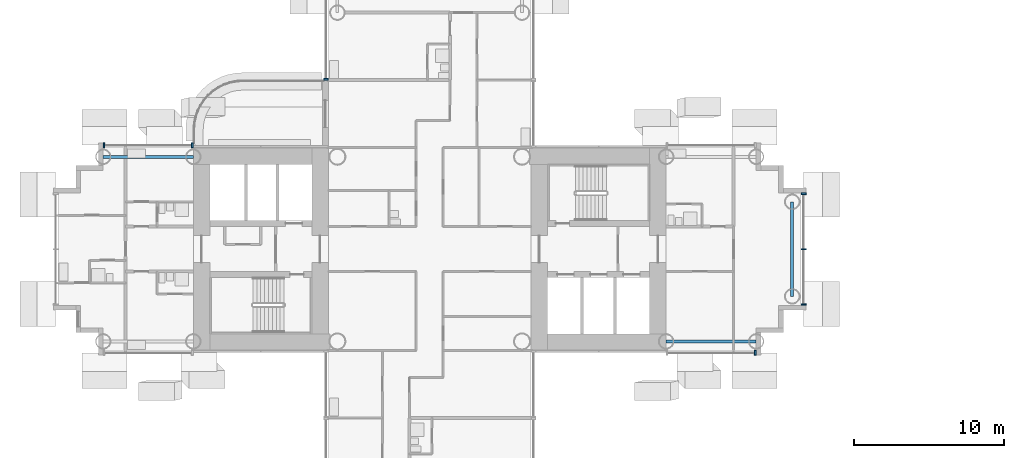
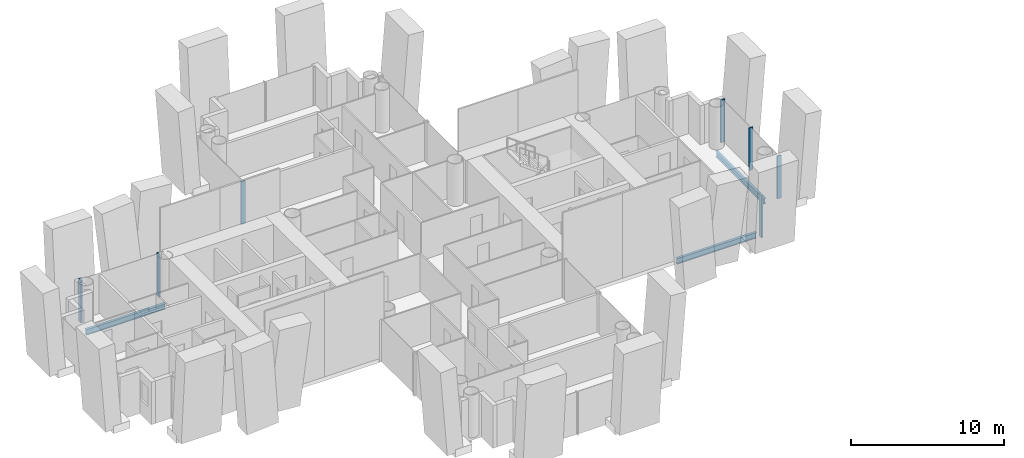
# One storey, part 4 of 25: 7 members, 3 beams, 4 elements without a shape of their own.
"""IFC4 building model written with IfcOpenShell, lengths in metres."""

from ifc_helpers import new_model, si_unit, direction, frame, origin, origin_2d, place, context, subcontext, project, spatial, rectangle, i_section, extrude, material, layer, layer_set, material_profile, profile_set, type_object, element, aggregate, save


model = new_model("IFC4")

# Units and contexts
model_context = context("Model", 3, precision=1e-05, world=origin(), true_north=direction((0.0, 1.0)))
body_context = subcontext(model_context, "Body", "Model", "MODEL_VIEW")
ifc_project = project(units=[si_unit("LENGTHUNIT", "METRE"), si_unit("AREAUNIT", "SQUARE_METRE"), si_unit("VOLUMEUNIT", "CUBIC_METRE"), si_unit("PLANEANGLEUNIT", "RADIAN"), si_unit("MASSUNIT", "GRAM", prefix="KILO")], contexts=[model_context])

# Site, building, storey
site_placement = place(None, origin())
site = spatial("IfcSite", under=ifc_project, at=site_placement, CompositionType="ELEMENT")
building_placement = place(site_placement, origin())
building = spatial("IfcBuilding", under=site, at=building_placement, Name="Ipe Terrace Towers", CompositionType="ELEMENT")
storey_placement = place(building_placement, frame((0.0, 0.0, 58.5)))
storey = spatial("IfcBuildingStorey", under=building, at=storey_placement, Name="L15", CompositionType="ELEMENT", Elevation=58.5)

# Beams
ifc_material_1 = material(Name="Steel S355", Category="steel")
ifc_material_profile_1 = material_profile(ifc_material_1, i_section(OverallWidth=0.199951171875, OverallDepth=0.449951171875, WebThickness=0.009033203125, FlangeThickness=0.013916015625, at=origin_2d()), Name="H-450x200x9x14")
ifc_profile_set_1 = profile_set([ifc_material_profile_1], Name="Steel S355")
beam_type = type_object("IfcBeamType", Name="H08 EDGE BEAM H-450x200x9x14", PredefinedType="BEAM", material=ifc_profile_set_1)
beam_1_placement = place(storey_placement, frame((-20.25, -6.14990234375, -0.625), z_axis=(1.0, 0.0, 0.0), x_axis=(0.0, 1.0, 0.0)))
element("IfcBeam", 1, at=beam_1_placement, inside=storey, type_object=beam_type, Name="Edge beam T1-EB-A01-A03", PredefinedType="BEAM", context=body_context, shape_type="SweptSolid", body=[
    extrude(i_section(OverallWidth=0.199951171875, OverallDepth=0.449951171875, WebThickness=0.009033203125, FlangeThickness=0.013916015625, at=origin_2d()), origin(), (0.0, 0.0, 1.0), 6.0),
])
beam_2_placement = place(storey_placement, frame((-11.85009765625, -3.14990234375, -0.625), z_axis=(0.0, 1.0, 0.0), x_axis=(-1.0, 0.0, 0.0)))
element("IfcBeam", 2, at=beam_2_placement, inside=storey, type_object=beam_type, Name="Edge beam T1-EB-A05-A06", PredefinedType="BEAM", context=body_context, shape_type="SweptSolid", body=[
    extrude(i_section(OverallWidth=0.199951171875, OverallDepth=0.449951171875, WebThickness=0.009033203125, FlangeThickness=0.013916015625, at=origin_2d()), origin(), (0.0, 0.0, 1.0), 6.2998046875),
])
beam_3_placement = place(storey_placement, frame((-51.75, 6.14990234375, -0.625), z_axis=(-1.0, 0.0, 0.0), x_axis=(0.0, -1.0, 0.0)))
element("IfcBeam", 3, at=beam_3_placement, inside=storey, type_object=beam_type, Name="Edge beam T1-EB-C02-C04", PredefinedType="BEAM", context=body_context, shape_type="SweptSolid", body=[
    extrude(i_section(OverallWidth=0.199951171875, OverallDepth=0.449951171875, WebThickness=0.009033203125, FlangeThickness=0.013916015625, at=origin_2d()), origin(), (0.0, 0.0, 1.0), 6.0),
])

# Curtain wall, member
ifc_material_2 = material(Name="Aluminium alloy 6063-T6", Category="aluminium")
ifc_layer = layer(ifc_material_2, 0.320068359375)
ifc_layer_set = layer_set([ifc_layer], Name="TOWER UNITISED CURTAIN WALL")
curtain_wall_type = type_object("IfcCurtainWallType", Name="TOWER UNITISED CURTAIN WALL", PredefinedType="NOTDEFINED", material=ifc_layer_set)
curtain_wall_1_placement = place(storey_placement, origin())
curtain_wall_1 = element("IfcCurtainWall", 4, at=curtain_wall_1_placement, inside=storey, type_object=curtain_wall_type, Name="T1-CW-L15-20b curtain wall", PredefinedType="NOTDEFINED")
ifc_material_3 = material(Name="Aluminium alloy 6063-T6", Category="aluminium")
ifc_material_profile_2 = material_profile(ifc_material_3, rectangle(XDim=0.320068359375, YDim=0.1201171875, at=origin_2d()), Name="TOWER UNITISED CORNER MULLION 320 x 120")
ifc_profile_set_2 = profile_set([ifc_material_profile_2], Name="Aluminium alloy 6063-T6")
member_type_1 = type_object("IfcMemberType", Name="TOWER UNITISED CORNER MULLION 320 x 120", PredefinedType="MULLION", material=ifc_profile_set_2)
member_1_placement = place(storey_placement, frame((-14.31005859375, -6.909912109375, -0.300048828125), z_axis=(0.0, 0.0, 1.0), x_axis=(0.0, -1.0, 0.0)))
member_1 = element("IfcMember", 5, at=member_1_placement, type_object=member_type_1, Name="T1-CW-L15-20b mullion 2", PredefinedType="MULLION", context=body_context, shape_type="SweptSolid", body=[
    extrude(rectangle(XDim=0.320068359375, YDim=0.1201171875, at=origin_2d()), origin(), (0.0, 0.0, 1.0), 3.400146484375),
])
aggregate(curtain_wall_1, [member_1])

# Curtain wall, members
curtain_wall_2_placement = place(storey_placement, origin())
curtain_wall_2 = element("IfcCurtainWall", 6, at=curtain_wall_2_placement, inside=storey, type_object=curtain_wall_type, Name="T1-CW-L15-25a curtain wall", PredefinedType="NOTDEFINED")
member_2_placement = place(storey_placement, frame((-11.090087890625, -3.68994140625, -0.300048828125), z_axis=(0.0, 0.0, 1.0), x_axis=(1.0, 0.0, 0.0)))
member_2 = element("IfcMember", 7, at=member_2_placement, type_object=member_type_1, Name="T1-CW-L15-25a mullion 1", PredefinedType="MULLION", context=body_context, shape_type="SweptSolid", body=[
    extrude(rectangle(XDim=0.320068359375, YDim=0.1201171875, at=origin_2d()), origin(), (0.0, 0.0, 1.0), 3.400146484375),
])
member_3_placement = place(storey_placement, frame((-11.090087890625, 3.68994140625, -0.300048828125), z_axis=(0.0, 0.0, 1.0), x_axis=(1.0, 0.0, 0.0)))
member_3 = element("IfcMember", 8, at=member_3_placement, type_object=member_type_1, Name="T1-CW-L15-25a mullion 3", PredefinedType="MULLION", context=body_context, shape_type="SweptSolid", body=[
    extrude(rectangle(XDim=0.320068359375, YDim=0.1201171875, at=origin_2d()), origin(), (0.0, 0.0, 1.0), 3.400146484375),
])

# Curtain wall, member
curtain_wall_3_placement = place(storey_placement, origin())
curtain_wall_3 = element("IfcCurtainWall", 9, at=curtain_wall_3_placement, inside=storey, type_object=curtain_wall_type, Name="T1-CW-L15-43a curtain wall", PredefinedType="NOTDEFINED")
member_4_placement = place(storey_placement, frame((-42.909912109375, 11.31005859375, -0.300048828125), z_axis=(0.0, 0.0, 1.0), x_axis=(-1.0, 0.0, 0.0)))
member_4 = element("IfcMember", 10, at=member_4_placement, type_object=member_type_1, Name="T1-CW-L15-43a mullion 2", PredefinedType="MULLION", context=body_context, shape_type="SweptSolid", body=[
    extrude(rectangle(XDim=0.320068359375, YDim=0.1201171875, at=origin_2d()), origin(), (0.0, 0.0, 1.0), 3.400146484375),
])
aggregate(curtain_wall_3, [member_4])

# Curtain wall, members
curtain_wall_4_placement = place(storey_placement, origin())
curtain_wall_4 = element("IfcCurtainWall", 11, at=curtain_wall_4_placement, inside=storey, type_object=curtain_wall_type, Name="T1-CW-L15-46b curtain wall", PredefinedType="NOTDEFINED")
member_5_placement = place(storey_placement, frame((-51.81103515625, 6.909912109375, -0.300048828125), z_axis=(0.0, 0.0, 1.0), x_axis=(0.0, 1.0, 0.0)))
member_5 = element("IfcMember", 12, at=member_5_placement, type_object=member_type_1, Name="T1-CW-L15-46b mullion 1", PredefinedType="MULLION", context=body_context, shape_type="SweptSolid", body=[
    extrude(rectangle(XDim=0.320068359375, YDim=0.1201171875, at=origin_2d()), origin(), (0.0, 0.0, 1.0), 3.400146484375),
])
member_6_placement = place(storey_placement, frame((-57.68994140625, 6.909912109375, -0.300048828125), z_axis=(0.0, 0.0, 1.0), x_axis=(0.0, 1.0, 0.0)))
member_6 = element("IfcMember", 13, at=member_6_placement, type_object=member_type_1, Name="T1-CW-L15-46b mullion 2", PredefinedType="MULLION", context=body_context, shape_type="SweptSolid", body=[
    extrude(rectangle(XDim=0.320068359375, YDim=0.1201171875, at=origin_2d()), origin(), (0.0, 0.0, 1.0), 3.400146484375),
])
aggregate(curtain_wall_4, [member_5, member_6])

# Member
ifc_material_4 = material(Name="Aluminium alloy 6063-T6", Category="aluminium")
ifc_material_profile_3 = material_profile(ifc_material_4, rectangle(XDim=0.320068359375, YDim=0.06494140625, at=origin_2d()), Name="TOWER UNITISED MULLION 320 x 65")
ifc_profile_set_3 = profile_set([ifc_material_profile_3], Name="Aluminium alloy 6063-T6")
member_type_2 = type_object("IfcMemberType", Name="TOWER UNITISED MULLION 320 x 65", PredefinedType="MULLION", material=ifc_profile_set_3)
member_7_placement = place(storey_placement, frame((-11.090087890625, 0.0, -0.300048828125), z_axis=(0.0, 0.0, 1.0), x_axis=(1.0, 0.0, 0.0)))
member_7 = element("IfcMember", 14, at=member_7_placement, type_object=member_type_2, Name="T1-CW-L15-25a mullion 2", PredefinedType="MULLION", context=body_context, shape_type="SweptSolid", body=[
    extrude(rectangle(XDim=0.320068359375, YDim=0.06494140625, at=origin_2d()), origin(), (0.0, 0.0, 1.0), 3.400146484375),
])

aggregate(curtain_wall_2, [member_2, member_7, member_3])

save(model, "model.ifc")
